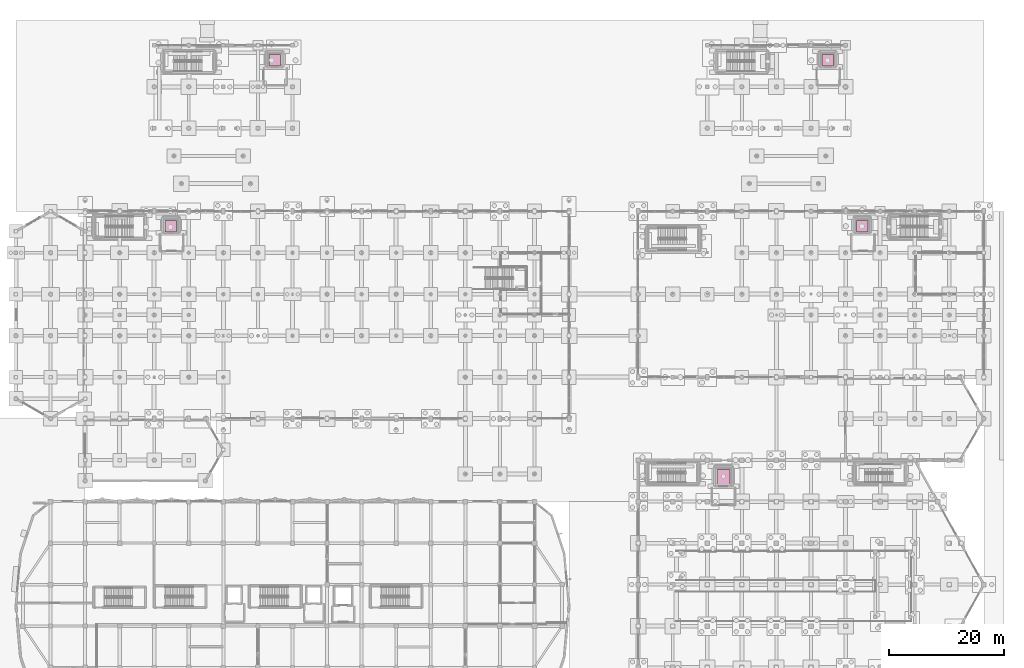
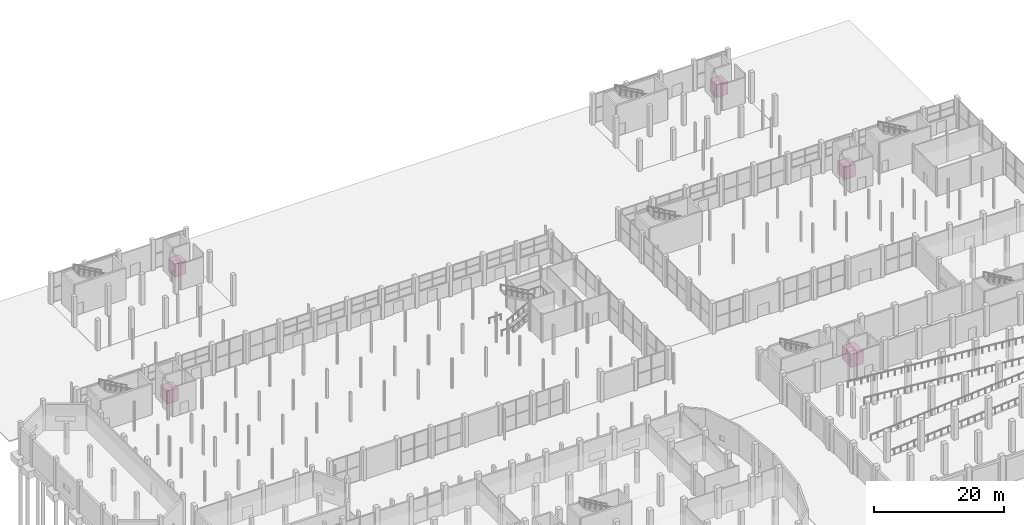
# One storey, part 103 of 103: 5 transport elements.
"""IFC4 building model written with IfcOpenShell, lengths in metres."""

import ifcopenshell
import ifcopenshell.guid

model = None  # the IFC model being written
_history = None  # IfcOwnerHistory: only IFC2X3 demands one
_inside = {}  # id of a spatial element -> (the spatial element, [elements in it])
_under = {}  # id of a project, library or spatial element -> (it, [spatial elements below it])
_declared = {}  # id of a project -> (the project, [libraries it declares])
_typed = {}  # id of a type object -> (the type object, [elements of that type])
_made_of = {}  # id of a material, layer set ... -> (it, [elements and type objects made of it])


def new_model(schema):
    """Start an empty IFC model of exactly this schema.

    Asked for "IFC4X3", IfcOpenShell would pick the latest addendum, in which some entities
    have other attributes; the version numbers below select the first issue.
    IFC2X3 requires an IfcOwnerHistory on every rooted entity: one is made here for all.
    """
    global model, _history
    if schema == "IFC4X3":
        model = ifcopenshell.file(schema_version=(4, 3, 0, 0))
    else:
        model = ifcopenshell.file(schema=schema)
    _inside.clear()
    _under.clear()
    _declared.clear()
    _typed.clear()
    _made_of.clear()
    _history = None
    if model.schema == "IFC2X3":
        org = make("IfcOrganization", Name="unknown")
        user = make(
            "IfcPersonAndOrganization",
            ThePerson=make("IfcPerson", FamilyName="unknown"),
            TheOrganization=org,
        )
        app = make(
            "IfcApplication",
            ApplicationDeveloper=org,
            Version="unknown",
            ApplicationFullName="unknown",
            ApplicationIdentifier="unknown",
        )
        _history = make(
            "IfcOwnerHistory",
            OwningUser=user,
            OwningApplication=app,
            ChangeAction="ADDED",
            CreationDate=0,
        )
    return model


def make(cls, **values):
    """One entity of the class cls with the attributes given. An attribute that is None is left unset."""
    return model.create_entity(
        cls, **{name: value for name, value in values.items() if value is not None}
    )


def rooted(cls, **values):
    """An entity with a GlobalId (a new one), such as an element, a storey or a relation."""
    return make(cls, GlobalId=ifcopenshell.guid.new(), OwnerHistory=_history, **values)


def si_unit(unit_type, name, prefix=None):
    """IfcSIUnit, for example si_unit("LENGTHUNIT", "METRE", prefix="MILLI")."""
    return make("IfcSIUnit", UnitType=unit_type, Prefix=prefix, Name=name)


def assignment(units):
    """IfcUnitAssignment: the units of a project."""
    return None if units is None else make("IfcUnitAssignment", Units=units)


def point(xyz):
    """IfcCartesianPoint."""
    return None if xyz is None else make("IfcCartesianPoint", Coordinates=xyz)


def direction(xyz):
    """IfcDirection."""
    return None if xyz is None else make("IfcDirection", DirectionRatios=xyz)


def frame(location, z_axis=None, x_axis=None):
    """IfcAxis2Placement3D, a coordinate frame: its origin and axes. An axis left out is left unset."""
    return make(
        "IfcAxis2Placement3D",
        Location=point(location),
        Axis=direction(z_axis),
        RefDirection=direction(x_axis),
    )


def frame_2d(location, x_axis=None):
    """IfcAxis2Placement2D, a coordinate frame in the plane: its origin and x axis."""
    return make(
        "IfcAxis2Placement2D", Location=point(location), RefDirection=direction(x_axis)
    )


def origin():
    """The frame at (0, 0, 0) with its axes left unset."""
    return frame((0.0, 0.0, 0.0))


def origin_2d():
    """The frame at (0, 0) in the plane with its x axis left unset."""
    return frame_2d((0.0, 0.0))


def place(relative_to, where):
    """IfcLocalPlacement: puts the frame where relative to a parent placement (None: the world)."""
    return make(
        "IfcLocalPlacement", PlacementRelTo=relative_to, RelativePlacement=where
    )


def context(
    kind, dimensions, precision=None, world=None, true_north=None, identifier=None
):
    """IfcGeometricRepresentationContext, for example the 3D "Model" context."""
    return make(
        "IfcGeometricRepresentationContext",
        ContextIdentifier=identifier,
        ContextType=kind,
        CoordinateSpaceDimension=dimensions,
        Precision=precision,
        WorldCoordinateSystem=world,
        TrueNorth=true_north,
    )


def subcontext(parent, identifier, kind, view, scale=None):
    """IfcGeometricRepresentationSubContext, for example "Body" below "Model"."""
    return make(
        "IfcGeometricRepresentationSubContext",
        ContextIdentifier=identifier,
        ContextType=kind,
        ParentContext=parent,
        TargetScale=scale,
        TargetView=view,
    )


def project(units=None, contexts=None):
    """IfcProject with its units and contexts."""
    return rooted(
        "IfcProject",
        Name="project",
        RepresentationContexts=contexts,
        UnitsInContext=assignment(units),
    )


def spatial(cls, under=None, at=None, **own):
    """A site, building, storey or space (cls), placed at a placement, below another one or the project."""
    s = rooted(cls, ObjectPlacement=at, **own)
    if under is not None:
        _under.setdefault(under.id(), (under, []))[1].append(s)
    return s


def profile(cls, at=None, kind="AREA", **sizes):
    """A parametric profile (cls). Its sizes go by their IFC names, for example OverallWidth=200.0."""
    return make(cls, ProfileType=kind, Position=at, **sizes)


def rectangle(**sizes):
    """IfcRectangleProfileDef."""
    return profile("IfcRectangleProfileDef", **sizes)


def extrude(swept, where, along, depth):
    """IfcExtrudedAreaSolid: the profile swept, set in the frame where, extruded along a direction by depth."""
    return make(
        "IfcExtrudedAreaSolid",
        SweptArea=swept,
        Position=where,
        ExtrudedDirection=direction(along),
        Depth=depth,
    )


def shape(context_of_items, identifier, shape_type, items):
    """IfcShapeRepresentation: the items that make up one representation, for example the "Body"."""
    return make(
        "IfcShapeRepresentation",
        ContextOfItems=context_of_items,
        RepresentationIdentifier=identifier,
        RepresentationType=shape_type,
        Items=items,
    )


def material(Name=None, Category=None):
    """IfcMaterial."""
    return make("IfcMaterial", Name=Name, Category=Category)


def made_of(thing, what):
    """Note that an element or type object is made of a material, layer set ...; save() writes the relation."""
    if what is not None:
        _made_of.setdefault(what.id(), (what, []))[1].append(thing)
    return thing


def type_object(cls, material=None, **own):
    """A type object (cls), such as IfcWallType, which elements share."""
    return made_of(rooted(cls, **own), material)


def element(
    cls,
    number,
    at=None,
    inside=None,
    cuts=None,
    type_object=None,
    material=None,
    context=None,
    identifier="Body",
    shape_type=None,
    held_by="IfcProductDefinitionShape",
    body=None,
    shapes=None,
    **own,
):
    """One element of the class cls, such as IfcWall. Its Tag is "e" and its number.

    at: its placement. inside: the storey or other place that contains it. cuts: it is an
    opening in that element (IfcRelVoidsElement). A single representation is given by context,
    identifier, shape_type and body (its items); several are given by shapes. held_by: the class
    of the entity that holds the representations. save() writes the other relations.
    """
    e = rooted(cls, Tag="e%d" % number, ObjectPlacement=at, **own)
    if body is not None:
        shapes = [shape(context, identifier, shape_type, body)]
    if shapes is not None:
        e.Representation = make(held_by, Representations=shapes)
    if inside is not None:
        _inside.setdefault(inside.id(), (inside, []))[1].append(e)
    if cuts is not None:
        rooted(
            "IfcRelVoidsElement", RelatingBuildingElement=cuts, RelatedOpeningElement=e
        )
    if type_object is not None:
        _typed.setdefault(type_object.id(), (type_object, []))[1].append(e)
    return made_of(e, material)


def aggregate(whole, parts):
    """IfcRelAggregates: a whole, such as a stair, and the parts it consists of."""
    return rooted("IfcRelAggregates", RelatingObject=whole, RelatedObjects=parts)


def save(model, path):
    """Write the relations noted so far, then the file.

    IfcRelAggregates (storeys below a building ...), IfcRelContainedInSpatialStructure (elements
    in a storey), IfcRelDefinesByType, IfcRelAssociatesMaterial and IfcRelDeclares: one each for
    every whole, place, type object, material and project.
    """
    for whole, parts in _under.values():
        aggregate(whole, parts)
    for where, things in _inside.values():
        rooted(
            "IfcRelContainedInSpatialStructure",
            RelatedElements=things,
            RelatingStructure=where,
        )
    for kind, things in _typed.values():
        rooted("IfcRelDefinesByType", RelatedObjects=things, RelatingType=kind)
    for what, things in _made_of.values():
        rooted("IfcRelAssociatesMaterial", RelatedObjects=things, RelatingMaterial=what)
    for by, libraries in _declared.values():
        rooted("IfcRelDeclares", RelatingContext=by, RelatedDefinitions=libraries)
    model.write(path)


model = new_model("IFC4")

# Units and contexts
model_context = context("Model", 3, precision=1e-05, world=origin(), true_north=direction((0.0, 1.0)))
body_context = subcontext(model_context, "Body", "Model", "MODEL_VIEW")
ifc_project = project(units=[si_unit("LENGTHUNIT", "METRE"), si_unit("AREAUNIT", "SQUARE_METRE"), si_unit("VOLUMEUNIT", "CUBIC_METRE"), si_unit("PLANEANGLEUNIT", "RADIAN"), si_unit("MASSUNIT", "GRAM", prefix="KILO")], contexts=[model_context])

# Site, building, storey
site_placement = place(None, origin())
site = spatial("IfcSite", under=ifc_project, at=site_placement, CompositionType="ELEMENT")
building_placement = place(site_placement, origin())
building = spatial("IfcBuilding", under=site, at=building_placement, Name="Dunvalen Ferry Terminal", CompositionType="ELEMENT")
storey_placement = place(building_placement, origin())
storey = spatial("IfcBuildingStorey", under=building, at=storey_placement, Name="L00", CompositionType="ELEMENT", Elevation=0.0)

# Transport elements
ifc_material_1 = material(Name="Heavy-duty chequer-plate stainless steel", Category="steel")
transport_element_type_1 = type_object("IfcTransportElementType", Name="INT-LFT-GDS3000", PredefinedType="ELEVATOR", material=ifc_material_1)
transport_element_placement = place(storey_placement, frame((122.800048828125, 40.201904296875, 0.0), z_axis=(0.0, 0.0, 1.0), x_axis=(1.0, 0.0, 0.0)))
element("IfcTransportElement", 1, at=transport_element_placement, inside=storey, type_object=transport_element_type_1, Name="LG-02 Goods Lift Car", PredefinedType="ELEVATOR", context=body_context, shape_type="SweptSolid", body=[
    extrude(rectangle(XDim=2.199951171875, YDim=2.800048828125, at=origin_2d()), origin(), (0.0, 0.0, 1.0), 2.39990234375),
])
ifc_material_2 = material(Name="Brushed 316 stainless steel and laminated glass", Category="steel")
transport_element_type_2 = type_object("IfcTransportElementType", Name="INT-LFT-PAX2000", PredefinedType="ELEVATOR", material=ifc_material_2)
for number, where, z_axis, x_axis, name in (
    (2, (26.89990234375, 83.802001953125, 0.0), (0.0, 0.0, 1.0), (1.0, 0.0, 0.0), "LP-01 Passenger Lift Car"),
    (3, (146.89990234375, 83.802001953125, 0.0), (0.0, 0.0, 1.0), (1.0, 0.0, 0.0), "LP-02 Passenger Lift Car"),
    (4, (44.89990234375, 112.60205078125, 0.0), (0.0, 0.0, 1.0), (1.0, 0.0, 0.0), "LP-03 Passenger Lift Car"),
    (5, (140.89990234375, 112.60205078125, 0.0), (0.0, 0.0, 1.0), (1.0, 0.0, 0.0), "LP-04 Passenger Lift Car"),
):
    element("IfcTransportElement", number, at=place(storey_placement, frame(where, z_axis=z_axis, x_axis=x_axis)), inside=storey, type_object=transport_element_type_2, Name=name, PredefinedType="ELEVATOR", context=body_context, shape_type="SweptSolid", body=[
        extrude(rectangle(XDim=2.0, YDim=2.0, at=origin_2d()), origin(), (0.0, 0.0, 1.0), 2.39990234375),
    ])

save(model, "model.ifc")
